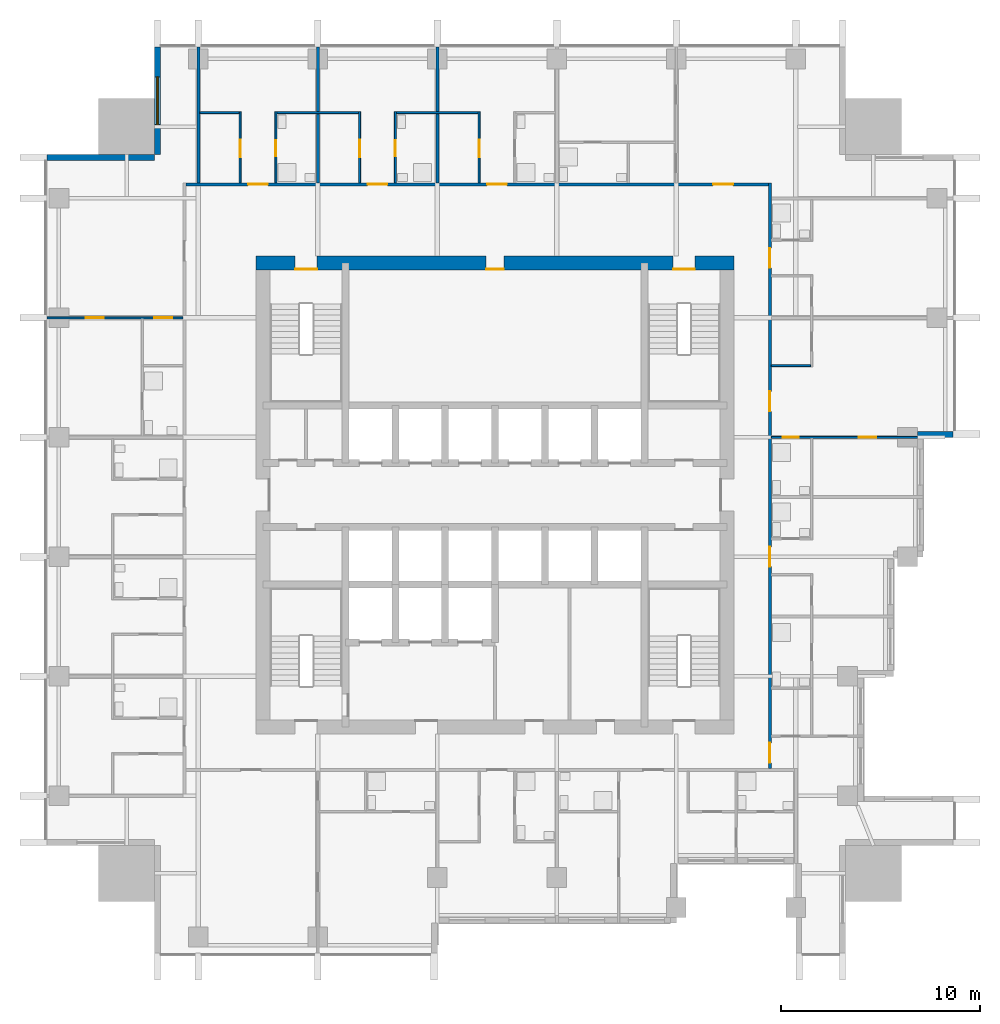
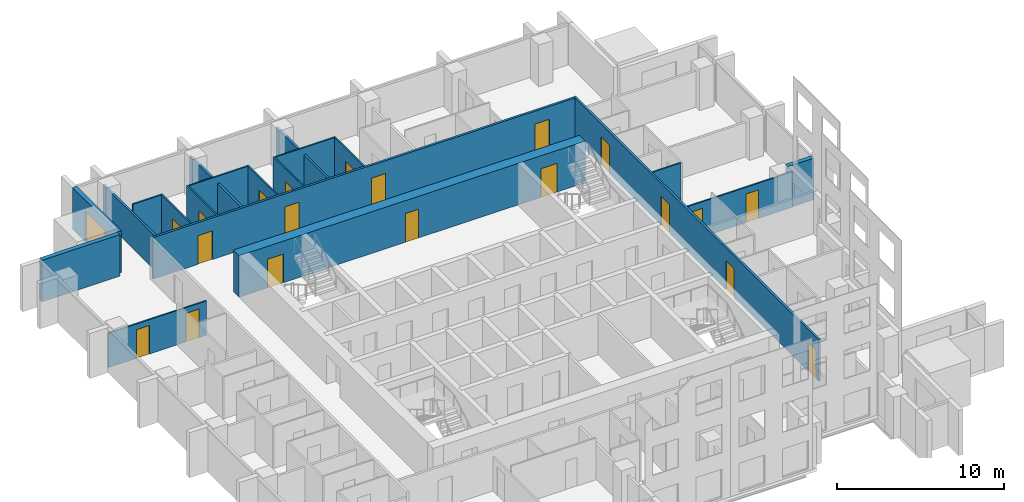
# One storey, part 7 of 11: 20 doors, 20 walls, 1 window, 21 openings.
"""IFC4 building model written with IfcOpenShell, lengths in metres."""

import ifcopenshell
import ifcopenshell.guid

model = None  # the IFC model being written
_history = None  # IfcOwnerHistory: only IFC2X3 demands one
_inside = {}  # id of a spatial element -> (the spatial element, [elements in it])
_under = {}  # id of a project, library or spatial element -> (it, [spatial elements below it])
_declared = {}  # id of a project -> (the project, [libraries it declares])
_typed = {}  # id of a type object -> (the type object, [elements of that type])
_made_of = {}  # id of a material, layer set ... -> (it, [elements and type objects made of it])


def new_model(schema):
    """Start an empty IFC model of exactly this schema.

    Asked for "IFC4X3", IfcOpenShell would pick the latest addendum, in which some entities
    have other attributes; the version numbers below select the first issue.
    IFC2X3 requires an IfcOwnerHistory on every rooted entity: one is made here for all.
    """
    global model, _history
    if schema == "IFC4X3":
        model = ifcopenshell.file(schema_version=(4, 3, 0, 0))
    else:
        model = ifcopenshell.file(schema=schema)
    _inside.clear()
    _under.clear()
    _declared.clear()
    _typed.clear()
    _made_of.clear()
    _history = None
    if model.schema == "IFC2X3":
        org = make("IfcOrganization", Name="unknown")
        user = make(
            "IfcPersonAndOrganization",
            ThePerson=make("IfcPerson", FamilyName="unknown"),
            TheOrganization=org,
        )
        app = make(
            "IfcApplication",
            ApplicationDeveloper=org,
            Version="unknown",
            ApplicationFullName="unknown",
            ApplicationIdentifier="unknown",
        )
        _history = make(
            "IfcOwnerHistory",
            OwningUser=user,
            OwningApplication=app,
            ChangeAction="ADDED",
            CreationDate=0,
        )
    return model


def make(cls, **values):
    """One entity of the class cls with the attributes given. An attribute that is None is left unset."""
    return model.create_entity(
        cls, **{name: value for name, value in values.items() if value is not None}
    )


def rooted(cls, **values):
    """An entity with a GlobalId (a new one), such as an element, a storey or a relation."""
    return make(cls, GlobalId=ifcopenshell.guid.new(), OwnerHistory=_history, **values)


def si_unit(unit_type, name, prefix=None):
    """IfcSIUnit, for example si_unit("LENGTHUNIT", "METRE", prefix="MILLI")."""
    return make("IfcSIUnit", UnitType=unit_type, Prefix=prefix, Name=name)


def assignment(units):
    """IfcUnitAssignment: the units of a project."""
    return None if units is None else make("IfcUnitAssignment", Units=units)


def point(xyz):
    """IfcCartesianPoint."""
    return None if xyz is None else make("IfcCartesianPoint", Coordinates=xyz)


def direction(xyz):
    """IfcDirection."""
    return None if xyz is None else make("IfcDirection", DirectionRatios=xyz)


def frame(location, z_axis=None, x_axis=None):
    """IfcAxis2Placement3D, a coordinate frame: its origin and axes. An axis left out is left unset."""
    return make(
        "IfcAxis2Placement3D",
        Location=point(location),
        Axis=direction(z_axis),
        RefDirection=direction(x_axis),
    )


def frame_2d(location, x_axis=None):
    """IfcAxis2Placement2D, a coordinate frame in the plane: its origin and x axis."""
    return make(
        "IfcAxis2Placement2D", Location=point(location), RefDirection=direction(x_axis)
    )


def origin():
    """The frame at (0, 0, 0) with its axes left unset."""
    return frame((0.0, 0.0, 0.0))


def place(relative_to, where):
    """IfcLocalPlacement: puts the frame where relative to a parent placement (None: the world)."""
    return make(
        "IfcLocalPlacement", PlacementRelTo=relative_to, RelativePlacement=where
    )


def context(
    kind, dimensions, precision=None, world=None, true_north=None, identifier=None
):
    """IfcGeometricRepresentationContext, for example the 3D "Model" context."""
    return make(
        "IfcGeometricRepresentationContext",
        ContextIdentifier=identifier,
        ContextType=kind,
        CoordinateSpaceDimension=dimensions,
        Precision=precision,
        WorldCoordinateSystem=world,
        TrueNorth=true_north,
    )


def subcontext(parent, identifier, kind, view, scale=None):
    """IfcGeometricRepresentationSubContext, for example "Body" below "Model"."""
    return make(
        "IfcGeometricRepresentationSubContext",
        ContextIdentifier=identifier,
        ContextType=kind,
        ParentContext=parent,
        TargetScale=scale,
        TargetView=view,
    )


def project(units=None, contexts=None):
    """IfcProject with its units and contexts."""
    return rooted(
        "IfcProject",
        Name="project",
        RepresentationContexts=contexts,
        UnitsInContext=assignment(units),
    )


def spatial(cls, under=None, at=None, **own):
    """A site, building, storey or space (cls), placed at a placement, below another one or the project."""
    s = rooted(cls, ObjectPlacement=at, **own)
    if under is not None:
        _under.setdefault(under.id(), (under, []))[1].append(s)
    return s


def profile(cls, at=None, kind="AREA", **sizes):
    """A parametric profile (cls). Its sizes go by their IFC names, for example OverallWidth=200.0."""
    return make(cls, ProfileType=kind, Position=at, **sizes)


def rectangle(**sizes):
    """IfcRectangleProfileDef."""
    return profile("IfcRectangleProfileDef", **sizes)


def extrude(swept, where, along, depth):
    """IfcExtrudedAreaSolid: the profile swept, set in the frame where, extruded along a direction by depth."""
    return make(
        "IfcExtrudedAreaSolid",
        SweptArea=swept,
        Position=where,
        ExtrudedDirection=direction(along),
        Depth=depth,
    )


def shape(context_of_items, identifier, shape_type, items):
    """IfcShapeRepresentation: the items that make up one representation, for example the "Body"."""
    return make(
        "IfcShapeRepresentation",
        ContextOfItems=context_of_items,
        RepresentationIdentifier=identifier,
        RepresentationType=shape_type,
        Items=items,
    )


def material(Name=None, Category=None):
    """IfcMaterial."""
    return make("IfcMaterial", Name=Name, Category=Category)


def layer(
    of_material, thickness, ventilated=None, Name=None, Category=None, Priority=None
):
    """IfcMaterialLayer: one layer of a wall or slab, of a material (None: an air gap)."""
    return make(
        "IfcMaterialLayer",
        Material=of_material,
        LayerThickness=thickness,
        IsVentilated=ventilated,
        Name=Name,
        Category=Category,
        Priority=Priority,
    )


def layer_set(layers, Name=None):
    """IfcMaterialLayerSet."""
    return make("IfcMaterialLayerSet", MaterialLayers=layers, LayerSetName=Name)


def made_of(thing, what):
    """Note that an element or type object is made of a material, layer set ...; save() writes the relation."""
    if what is not None:
        _made_of.setdefault(what.id(), (what, []))[1].append(thing)
    return thing


def type_object(cls, material=None, **own):
    """A type object (cls), such as IfcWallType, which elements share."""
    return made_of(rooted(cls, **own), material)


def element(
    cls,
    number,
    at=None,
    inside=None,
    cuts=None,
    type_object=None,
    material=None,
    context=None,
    identifier="Body",
    shape_type=None,
    held_by="IfcProductDefinitionShape",
    body=None,
    shapes=None,
    **own,
):
    """One element of the class cls, such as IfcWall. Its Tag is "e" and its number.

    at: its placement. inside: the storey or other place that contains it. cuts: it is an
    opening in that element (IfcRelVoidsElement). A single representation is given by context,
    identifier, shape_type and body (its items); several are given by shapes. held_by: the class
    of the entity that holds the representations. save() writes the other relations.
    """
    e = rooted(cls, Tag="e%d" % number, ObjectPlacement=at, **own)
    if body is not None:
        shapes = [shape(context, identifier, shape_type, body)]
    if shapes is not None:
        e.Representation = make(held_by, Representations=shapes)
    if inside is not None:
        _inside.setdefault(inside.id(), (inside, []))[1].append(e)
    if cuts is not None:
        rooted(
            "IfcRelVoidsElement", RelatingBuildingElement=cuts, RelatedOpeningElement=e
        )
    if type_object is not None:
        _typed.setdefault(type_object.id(), (type_object, []))[1].append(e)
    return made_of(e, material)


def fill(opening, filler):
    """IfcRelFillsElement: the door or window that sits in an opening."""
    return rooted(
        "IfcRelFillsElement",
        RelatingOpeningElement=opening,
        RelatedBuildingElement=filler,
    )


def aggregate(whole, parts):
    """IfcRelAggregates: a whole, such as a stair, and the parts it consists of."""
    return rooted("IfcRelAggregates", RelatingObject=whole, RelatedObjects=parts)


def save(model, path):
    """Write the relations noted so far, then the file.

    IfcRelAggregates (storeys below a building ...), IfcRelContainedInSpatialStructure (elements
    in a storey), IfcRelDefinesByType, IfcRelAssociatesMaterial and IfcRelDeclares: one each for
    every whole, place, type object, material and project.
    """
    for whole, parts in _under.values():
        aggregate(whole, parts)
    for where, things in _inside.values():
        rooted(
            "IfcRelContainedInSpatialStructure",
            RelatedElements=things,
            RelatingStructure=where,
        )
    for kind, things in _typed.values():
        rooted("IfcRelDefinesByType", RelatedObjects=things, RelatingType=kind)
    for what, things in _made_of.values():
        rooted("IfcRelAssociatesMaterial", RelatedObjects=things, RelatingMaterial=what)
    for by, libraries in _declared.values():
        rooted("IfcRelDeclares", RelatingContext=by, RelatedDefinitions=libraries)
    model.write(path)


model = new_model("IFC4")

# Units and contexts
model_context = context("Model", 3, precision=1e-05, world=origin(), true_north=direction((0.0, 1.0)))
body_context = subcontext(model_context, "Body", "Model", "MODEL_VIEW")
ifc_project = project(units=[si_unit("LENGTHUNIT", "METRE"), si_unit("AREAUNIT", "SQUARE_METRE"), si_unit("VOLUMEUNIT", "CUBIC_METRE"), si_unit("PLANEANGLEUNIT", "RADIAN"), si_unit("MASSUNIT", "GRAM", prefix="KILO")], contexts=[model_context])

# Site, building, storey
site_placement = place(None, origin())
site = spatial("IfcSite", under=ifc_project, at=site_placement, CompositionType="ELEMENT")
building_placement = place(site_placement, origin())
building = spatial("IfcBuilding", under=site, at=building_placement, Name="Amberfall Residences", CompositionType="ELEMENT")
storey_placement = place(building_placement, frame((0.0, 0.0, 154.89990234375)))
storey = spatial("IfcBuildingStorey", under=building, at=storey_placement, Name="L41", CompositionType="ELEMENT", Elevation=154.89990234375)

# Wall
ifc_material_1 = material(Name="Pale stone cladding on insulated backing", Category="masonry")
ifc_layer_1 = layer(ifc_material_1, 0.300048828125)
ifc_layer_set_1 = layer_set([ifc_layer_1], Name="Bronze clad wall 300")
wall_type_1 = type_object("IfcWallType", Name="Bronze clad wall 300", PredefinedType="SOLIDWALL", material=ifc_layer_set_1)
wall_1_placement = place(storey_placement, frame((95.699951171875, 48.550048828125, 0.0), z_axis=(0.0, 0.0, 1.0), x_axis=(1.0, 0.0, 0.0)))
element("IfcWall", 1, at=wall_1_placement, inside=storey, type_object=wall_type_1, Name="External wall L41 E", PredefinedType="SOLIDWALL", context=body_context, shape_type="SweptSolid", body=[
    extrude(rectangle(XDim=1.800048828125, YDim=0.300048828125, at=frame_2d((0.89990234375, 0.0))), origin(), (0.0, 0.0, 1.0), 3.050048828125),
])

# Wall, opening, window
wall_2_placement = place(storey_placement, frame((57.550048828125, 68.0, 0.0), z_axis=(0.0, 0.0, 1.0), x_axis=(0.0, -1.0, 0.0)))
wall_2 = element("IfcWall", 2, at=wall_2_placement, inside=storey, type_object=wall_type_1, Name="External wall L41 NW", PredefinedType="SOLIDWALL", context=body_context, shape_type="SweptSolid", body=[
    extrude(rectangle(XDim=5.39990234375, YDim=0.300048828125, at=frame_2d((2.699951171875, 0.0))), origin(), (0.0, 0.0, 1.0), 3.050048828125),
])
opening_1_placement = place(wall_2_placement, frame((1.5, 0.0, 0.14990234375)))
opening_1 = element("IfcOpeningElement", 3, at=opening_1_placement, cuts=wall_2, Name="Opening WN5", PredefinedType="OPENING", context=body_context, shape_type="SweptSolid", body=[
    extrude(rectangle(XDim=2.39990234375, YDim=2.10009765625, at=frame_2d((1.199951171875, 1.050048828125))), frame((0.0, 0.159912109375, 0.0), z_axis=(0.0, -1.0, 0.0), x_axis=(1.0, 0.0, 0.0)), (0.0, 0.0, 1.0), 0.320068359375),
])
ifc_material_2 = material(Name="Bronze aluminium framed glazing", Category="aluminium")
window_type = type_object("IfcWindowType", Name="Glazed opening 2400 x 2100 bronze", PartitioningType="DOUBLE_PANEL_VERTICAL", PredefinedType="WINDOW", material=ifc_material_2)
window_placement = place(opening_1_placement, origin())
window = element("IfcWindow", 4, at=window_placement, inside=storey, type_object=window_type, Name="Window L41 NW", OverallHeight=2.10009765625, OverallWidth=2.39990234375, PartitioningType="DOUBLE_PANEL_VERTICAL", PredefinedType="WINDOW", context=body_context, shape_type="SweptSolid", body=[
    extrude(rectangle(XDim=2.39990234375, YDim=2.10009765625, at=frame_2d((1.199951171875, 1.050048828125))), frame((0.0, 0.030029296875, 0.0), z_axis=(0.0, -1.0, 0.0), x_axis=(1.0, 0.0, 0.0)), (0.0, 0.0, 1.0), 0.06005859375),
])
fill(opening_1, window)

# Wall
wall_3_placement = place(storey_placement, frame((57.39990234375, 62.449951171875, 0.0), z_axis=(0.0, 0.0, 1.0), x_axis=(-1.0, 0.0, 0.0)))
element("IfcWall", 5, at=wall_3_placement, inside=storey, type_object=wall_type_1, Name="External wall L41 NW", PredefinedType="SOLIDWALL", context=body_context, shape_type="SweptSolid", body=[
    extrude(rectangle(XDim=5.39990234375, YDim=0.300048828125, at=frame_2d((2.699951171875, 0.0))), origin(), (0.0, 0.0, 1.0), 3.050048828125),
])

# Wall, openings, doors
ifc_material_3 = material(Name="Concrete C60", Category="concrete")
ifc_layer_2 = layer(ifc_material_3, 0.699951171875)
ifc_layer_set_2 = layer_set([ifc_layer_2], Name="Core wall 700 C60")
wall_type_2 = type_object("IfcWallType", Name="Core wall 700 C60", PredefinedType="SHEAR", material=ifc_layer_set_2)
wall_4_placement = place(storey_placement, frame((62.5, 57.14990234375, 0.0), z_axis=(0.0, 0.0, 1.0), x_axis=(1.0, 0.0, 0.0)))
wall_4 = element("IfcWall", 6, at=wall_4_placement, inside=storey, type_object=wall_type_2, Name="Core wall RW5 L41 ON", PredefinedType="SHEAR", context=body_context, shape_type="SweptSolid", body=[
    extrude(rectangle(XDim=24.0, YDim=0.699951171875, at=frame_2d((12.0, 0.0))), origin(), (0.0, 0.0, 1.0), 3.050048828125),
])
opening_2_placement = place(wall_4_placement, frame((20.9375, 0.0, 0.0)))
opening_2 = element("IfcOpeningElement", 7, at=opening_2_placement, cuts=wall_4, Name="Opening SD1", PredefinedType="OPENING", context=body_context, shape_type="SweptSolid", body=[
    extrude(rectangle(XDim=1.10009765625, YDim=2.10009765625, at=frame_2d((0.550048828125, 1.050048828125))), frame((0.0, 0.35986328125, 0.0), z_axis=(0.0, -1.0, 0.0), x_axis=(1.0, 0.0, 0.0)), (0.0, 0.0, 1.0), 0.719970703125),
])
opening_3_placement = place(wall_4_placement, frame((1.96240234375, 0.0, 0.0)))
opening_3 = element("IfcOpeningElement", 8, at=opening_3_placement, cuts=wall_4, Name="Opening SD1", PredefinedType="OPENING", context=body_context, shape_type="SweptSolid", body=[
    extrude(rectangle(XDim=1.10009765625, YDim=2.10009765625, at=frame_2d((0.550048828125, 1.050048828125))), frame((0.0, 0.35986328125, 0.0), z_axis=(0.0, -1.0, 0.0), x_axis=(1.0, 0.0, 0.0)), (0.0, 0.0, 1.0), 0.719970703125),
])
opening_4_placement = place(wall_4_placement, frame((11.550048828125, 0.0, 0.0)))
opening_4 = element("IfcOpeningElement", 9, at=opening_4_placement, cuts=wall_4, Name="Opening RD1", PredefinedType="OPENING", context=body_context, shape_type="SweptSolid", body=[
    extrude(rectangle(XDim=0.89990234375, YDim=2.10009765625, at=frame_2d((0.449951171875, 1.050048828125))), frame((0.0, 0.35986328125, 0.0), z_axis=(0.0, -1.0, 0.0), x_axis=(1.0, 0.0, 0.0)), (0.0, 0.0, 1.0), 0.719970703125),
])
ifc_material_4 = material(Name="Steel fire door set", Category="steel")
door_type_1 = type_object("IfcDoorType", Name="Service room door 900 x 2100", OperationType="SINGLE_SWING_LEFT", PredefinedType="DOOR", material=ifc_material_4)
door_1_placement = place(opening_4_placement, origin())
door_1 = element("IfcDoor", 10, at=door_1_placement, inside=storey, type_object=door_type_1, Name="RD1 L41", OperationType="SINGLE_SWING_RIGHT", OverallHeight=2.10009765625, OverallWidth=0.89990234375, PredefinedType="DOOR", context=body_context, shape_type="SweptSolid", body=[
    extrude(rectangle(XDim=0.89990234375, YDim=2.10009765625, at=frame_2d((0.449951171875, 1.050048828125))), frame((0.0, -0.28759765625, 0.0), z_axis=(0.0, -1.0, 0.0), x_axis=(1.0, 0.0, 0.0)), (0.0, 0.0, 1.0), 0.050048828125),
])
fill(opening_4, door_1)
door_type_2 = type_object("IfcDoorType", Name="Stair door 1100 x 2100", OperationType="SINGLE_SWING_LEFT", PredefinedType="DOOR", material=ifc_material_4)
door_2_placement = place(opening_2_placement, origin())
door_2 = element("IfcDoor", 11, at=door_2_placement, inside=storey, type_object=door_type_2, Name="SD1 L41", OperationType="SINGLE_SWING_RIGHT", OverallHeight=2.10009765625, OverallWidth=1.10009765625, PredefinedType="DOOR", context=body_context, shape_type="SweptSolid", body=[
    extrude(rectangle(XDim=1.10009765625, YDim=2.10009765625, at=frame_2d((0.550048828125, 1.050048828125))), frame((0.0, -0.28759765625, 0.0), z_axis=(0.0, -1.0, 0.0), x_axis=(1.0, 0.0, 0.0)), (0.0, 0.0, 1.0), 0.050048828125),
])
fill(opening_2, door_2)
door_3_placement = place(opening_3_placement, origin())
door_3 = element("IfcDoor", 12, at=door_3_placement, inside=storey, type_object=door_type_2, Name="SD1 L41", OperationType="SINGLE_SWING_LEFT", OverallHeight=2.10009765625, OverallWidth=1.10009765625, PredefinedType="DOOR", context=body_context, shape_type="SweptSolid", body=[
    extrude(rectangle(XDim=1.10009765625, YDim=2.10009765625, at=frame_2d((0.550048828125, 1.050048828125))), frame((0.0, -0.28759765625, 0.0), z_axis=(0.0, -1.0, 0.0), x_axis=(1.0, 0.0, 0.0)), (0.0, 0.0, 1.0), 0.050048828125),
])
fill(opening_3, door_3)

# Wall, opening, door
ifc_material_5 = material(Name="Gypsum board on metal stud")
ifc_layer_3 = layer(ifc_material_5, 0.10009765625)
ifc_layer_set_3 = layer_set([ifc_layer_3], Name="Flat partition 100")
wall_type_3 = type_object("IfcWallType", Name="Flat partition 100", PredefinedType="PARTITIONING", material=ifc_layer_set_3)
wall_5_placement = place(storey_placement, frame((61.699951171875, 61.175048828125, 0.0), z_axis=(0.0, 0.0, 1.0), x_axis=(0.0, 1.0, 0.0)))
wall_5 = element("IfcWall", 13, at=wall_5_placement, inside=storey, type_object=wall_type_3, Name="Partition 006", PredefinedType="PARTITIONING", context=body_context, shape_type="SweptSolid", body=[
    extrude(rectangle(XDim=3.574951171875, YDim=0.10009765625, at=frame_2d((1.78759765625, 0.0))), origin(), (0.0, 0.0, 1.0), 3.050048828125),
])
opening_5_placement = place(wall_5_placement, frame((1.27490234375, 0.0, 0.0)))
opening_5 = element("IfcOpeningElement", 14, at=opening_5_placement, cuts=wall_5, Name="Opening D41", PredefinedType="OPENING", context=body_context, shape_type="SweptSolid", body=[
    extrude(rectangle(XDim=0.89990234375, YDim=2.10009765625, at=frame_2d((0.449951171875, 1.050048828125))), frame((0.0, 0.06005859375, 0.0), z_axis=(0.0, -1.0, 0.0), x_axis=(1.0, 0.0, 0.0)), (0.0, 0.0, 1.0), 0.1201171875),
])
ifc_material_6 = material(Name="Timber", Category="wood")
door_type_3 = type_object("IfcDoorType", Name="Internal door 900 x 2100", OperationType="SINGLE_SWING_LEFT", PredefinedType="DOOR", material=ifc_material_6)
door_4_placement = place(opening_5_placement, origin())
door_4 = element("IfcDoor", 15, at=door_4_placement, inside=storey, type_object=door_type_3, Name="Door 4108 kitchen", OperationType="SINGLE_SWING_LEFT", OverallHeight=2.10009765625, OverallWidth=0.89990234375, PredefinedType="DOOR", context=body_context, shape_type="SweptSolid", body=[
    extrude(rectangle(XDim=0.89990234375, YDim=2.10009765625, at=frame_2d((0.449951171875, 1.050048828125))), frame((0.0, 0.02490234375, 0.0), z_axis=(0.0, -1.0, 0.0), x_axis=(1.0, 0.0, 0.0)), (0.0, 0.0, 1.0), 0.050048828125),
])
fill(opening_5, door_4)

wall_6_placement = place(storey_placement, frame((63.5, 64.75, 0.0), z_axis=(0.0, 0.0, 1.0), x_axis=(0.0, -1.0, 0.0)))
wall_6 = element("IfcWall", 16, at=wall_6_placement, inside=storey, type_object=wall_type_3, Name="Partition 007", PredefinedType="PARTITIONING", context=body_context, shape_type="SweptSolid", body=[
    extrude(rectangle(XDim=3.574951171875, YDim=0.10009765625, at=frame_2d((1.78759765625, 0.0))), origin(), (0.0, 0.0, 1.0), 3.050048828125),
])
opening_6_placement = place(wall_6_placement, frame((1.449951171875, 0.0, 0.0)))
opening_6 = element("IfcOpeningElement", 17, at=opening_6_placement, cuts=wall_6, Name="Opening D42", PredefinedType="OPENING", context=body_context, shape_type="SweptSolid", body=[
    extrude(rectangle(XDim=0.800048828125, YDim=2.10009765625, at=frame_2d((0.39990234375, 1.050048828125))), frame((0.0, 0.06005859375, 0.0), z_axis=(0.0, -1.0, 0.0), x_axis=(1.0, 0.0, 0.0)), (0.0, 0.0, 1.0), 0.1201171875),
])
door_type_4 = type_object("IfcDoorType", Name="Bathroom door 800 x 2100", OperationType="SINGLE_SWING_LEFT", PredefinedType="DOOR", material=ifc_material_6)
door_5_placement = place(opening_6_placement, origin())
door_5 = element("IfcDoor", 18, at=door_5_placement, inside=storey, type_object=door_type_4, Name="Door 4108 bath1", OperationType="SINGLE_SWING_LEFT", OverallHeight=2.10009765625, OverallWidth=0.800048828125, PredefinedType="DOOR", context=body_context, shape_type="SweptSolid", body=[
    extrude(rectangle(XDim=0.800048828125, YDim=2.10009765625, at=frame_2d((0.39990234375, 1.050048828125))), frame((0.0, 0.02490234375, 0.0), z_axis=(0.0, -1.0, 0.0), x_axis=(1.0, 0.0, 0.0)), (0.0, 0.0, 1.0), 0.050048828125),
])
fill(opening_6, door_5)

wall_7_placement = place(storey_placement, frame((67.699951171875, 61.175048828125, 0.0), z_axis=(0.0, 0.0, 1.0), x_axis=(0.0, 1.0, 0.0)))
wall_7 = element("IfcWall", 19, at=wall_7_placement, inside=storey, type_object=wall_type_3, Name="Partition 009", PredefinedType="PARTITIONING", context=body_context, shape_type="SweptSolid", body=[
    extrude(rectangle(XDim=3.574951171875, YDim=0.10009765625, at=frame_2d((1.78759765625, 0.0))), origin(), (0.0, 0.0, 1.0), 3.050048828125),
])
opening_7_placement = place(wall_7_placement, frame((1.27490234375, 0.0, 0.0)))
opening_7 = element("IfcOpeningElement", 20, at=opening_7_placement, cuts=wall_7, Name="Opening D41", PredefinedType="OPENING", context=body_context, shape_type="SweptSolid", body=[
    extrude(rectangle(XDim=0.89990234375, YDim=2.10009765625, at=frame_2d((0.449951171875, 1.050048828125))), frame((0.0, 0.06005859375, 0.0), z_axis=(0.0, -1.0, 0.0), x_axis=(1.0, 0.0, 0.0)), (0.0, 0.0, 1.0), 0.1201171875),
])
door_6_placement = place(opening_7_placement, origin())
door_6 = element("IfcDoor", 21, at=door_6_placement, inside=storey, type_object=door_type_3, Name="Door 4109 kitchen", OperationType="SINGLE_SWING_LEFT", OverallHeight=2.10009765625, OverallWidth=0.89990234375, PredefinedType="DOOR", context=body_context, shape_type="SweptSolid", body=[
    extrude(rectangle(XDim=0.89990234375, YDim=2.10009765625, at=frame_2d((0.449951171875, 1.050048828125))), frame((0.0, 0.02490234375, 0.0), z_axis=(0.0, -1.0, 0.0), x_axis=(1.0, 0.0, 0.0)), (0.0, 0.0, 1.0), 0.050048828125),
])
fill(opening_7, door_6)

wall_8_placement = place(storey_placement, frame((69.5, 64.75, 0.0), z_axis=(0.0, 0.0, 1.0), x_axis=(0.0, -1.0, 0.0)))
wall_8 = element("IfcWall", 22, at=wall_8_placement, inside=storey, type_object=wall_type_3, Name="Partition 011", PredefinedType="PARTITIONING", context=body_context, shape_type="SweptSolid", body=[
    extrude(rectangle(XDim=3.574951171875, YDim=0.10009765625, at=frame_2d((1.78759765625, 0.0))), origin(), (0.0, 0.0, 1.0), 3.050048828125),
])
opening_8_placement = place(wall_8_placement, frame((1.449951171875, 0.0, 0.0)))
opening_8 = element("IfcOpeningElement", 23, at=opening_8_placement, cuts=wall_8, Name="Opening D42", PredefinedType="OPENING", context=body_context, shape_type="SweptSolid", body=[
    extrude(rectangle(XDim=0.800048828125, YDim=2.10009765625, at=frame_2d((0.39990234375, 1.050048828125))), frame((0.0, 0.06005859375, 0.0), z_axis=(0.0, -1.0, 0.0), x_axis=(1.0, 0.0, 0.0)), (0.0, 0.0, 1.0), 0.1201171875),
])
door_7_placement = place(opening_8_placement, origin())
door_7 = element("IfcDoor", 24, at=door_7_placement, inside=storey, type_object=door_type_4, Name="Door 4109 bath1", OperationType="SINGLE_SWING_LEFT", OverallHeight=2.10009765625, OverallWidth=0.800048828125, PredefinedType="DOOR", context=body_context, shape_type="SweptSolid", body=[
    extrude(rectangle(XDim=0.800048828125, YDim=2.10009765625, at=frame_2d((0.39990234375, 1.050048828125))), frame((0.0, 0.02490234375, 0.0), z_axis=(0.0, -1.0, 0.0), x_axis=(1.0, 0.0, 0.0)), (0.0, 0.0, 1.0), 0.050048828125),
])
fill(opening_8, door_7)

wall_9_placement = place(storey_placement, frame((73.699951171875, 61.175048828125, 0.0), z_axis=(0.0, 0.0, 1.0), x_axis=(0.0, 1.0, 0.0)))
wall_9 = element("IfcWall", 25, at=wall_9_placement, inside=storey, type_object=wall_type_3, Name="Partition 013", PredefinedType="PARTITIONING", context=body_context, shape_type="SweptSolid", body=[
    extrude(rectangle(XDim=3.574951171875, YDim=0.10009765625, at=frame_2d((1.78759765625, 0.0))), origin(), (0.0, 0.0, 1.0), 3.050048828125),
])
opening_9_placement = place(wall_9_placement, frame((1.27490234375, 0.0, 0.0)))
opening_9 = element("IfcOpeningElement", 26, at=opening_9_placement, cuts=wall_9, Name="Opening D41", PredefinedType="OPENING", context=body_context, shape_type="SweptSolid", body=[
    extrude(rectangle(XDim=0.89990234375, YDim=2.10009765625, at=frame_2d((0.449951171875, 1.050048828125))), frame((0.0, 0.06005859375, 0.0), z_axis=(0.0, -1.0, 0.0), x_axis=(1.0, 0.0, 0.0)), (0.0, 0.0, 1.0), 0.1201171875),
])
door_8_placement = place(opening_9_placement, origin())
door_8 = element("IfcDoor", 27, at=door_8_placement, inside=storey, type_object=door_type_3, Name="Door 4110 kitchen", OperationType="SINGLE_SWING_LEFT", OverallHeight=2.10009765625, OverallWidth=0.89990234375, PredefinedType="DOOR", context=body_context, shape_type="SweptSolid", body=[
    extrude(rectangle(XDim=0.89990234375, YDim=2.10009765625, at=frame_2d((0.449951171875, 1.050048828125))), frame((0.0, 0.02490234375, 0.0), z_axis=(0.0, -1.0, 0.0), x_axis=(1.0, 0.0, 0.0)), (0.0, 0.0, 1.0), 0.050048828125),
])
fill(opening_9, door_8)

# Walls
wall_10_placement = place(storey_placement, frame((59.675048828125, 64.699951171875, 0.0), z_axis=(0.0, 0.0, 1.0), x_axis=(1.0, 0.0, 0.0)))
element("IfcWall", 28, at=wall_10_placement, inside=storey, type_object=wall_type_3, Name="Partition 025", PredefinedType="PARTITIONING", context=body_context, shape_type="SweptSolid", body=[
    extrude(rectangle(XDim=1.974853515625, YDim=0.10009765625, at=frame_2d((0.9873046875, 0.0))), origin(), (0.0, 0.0, 1.0), 3.050048828125),
])
for number, where, z_axis, x_axis, name in (
    (29, (63.550048828125, 64.699951171875, 0.0), (0.0, 0.0, 1.0), (1.0, 0.0, 0.0), "Partition 026"),
    (30, (69.550048828125, 64.699951171875, 0.0), (0.0, 0.0, 1.0), (1.0, 0.0, 0.0), "Partition 027"),
):
    element("IfcWall", number, at=place(storey_placement, frame(where, z_axis=z_axis, x_axis=x_axis)), inside=storey, type_object=wall_type_3, Name=name, PredefinedType="PARTITIONING", context=body_context, shape_type="SweptSolid", body=[
        extrude(rectangle(XDim=4.099853515625, YDim=0.10009765625, at=frame_2d((2.0498046875, 0.0))), origin(), (0.0, 0.0, 1.0), 3.050048828125),
    ])

# Wall, openings, doors
wall_11_placement = place(storey_placement, frame((58.824951171875, 54.39990234375, 0.0), z_axis=(0.0, 0.0, 1.0), x_axis=(-1.0, 0.0, 0.0)))
wall_11 = element("IfcWall", 31, at=wall_11_placement, inside=storey, type_object=wall_type_3, Name="Partition 032", PredefinedType="PARTITIONING", context=body_context, shape_type="SweptSolid", body=[
    extrude(rectangle(XDim=6.824951171875, YDim=0.10009765625, at=frame_2d((3.41259765625, 0.0))), origin(), (0.0, 0.0, 1.0), 2.51611328125),
])
opening_10_placement = place(wall_11_placement, frame((0.52490234375, 0.0, 0.0)))
opening_10 = element("IfcOpeningElement", 32, at=opening_10_placement, cuts=wall_11, Name="Opening D41", PredefinedType="OPENING", context=body_context, shape_type="SweptSolid", body=[
    extrude(rectangle(XDim=0.89990234375, YDim=2.10009765625, at=frame_2d((0.449951171875, 1.050048828125))), frame((0.0, 0.06005859375, 0.0), z_axis=(0.0, -1.0, 0.0), x_axis=(1.0, 0.0, 0.0)), (0.0, 0.0, 1.0), 0.1201171875),
])
opening_11_placement = place(wall_11_placement, frame((3.97509765625, 0.0, 0.0)))
opening_11 = element("IfcOpeningElement", 33, at=opening_11_placement, cuts=wall_11, Name="Opening D41", PredefinedType="OPENING", context=body_context, shape_type="SweptSolid", body=[
    extrude(rectangle(XDim=0.89990234375, YDim=2.10009765625, at=frame_2d((0.449951171875, 1.050048828125))), frame((0.0, 0.06005859375, 0.0), z_axis=(0.0, -1.0, 0.0), x_axis=(1.0, 0.0, 0.0)), (0.0, 0.0, 1.0), 0.1201171875),
])
door_9_placement = place(opening_10_placement, origin())
door_9 = element("IfcDoor", 34, at=door_9_placement, inside=storey, type_object=door_type_3, Name="Door 4115 kitchen", OperationType="SINGLE_SWING_LEFT", OverallHeight=2.10009765625, OverallWidth=0.89990234375, PredefinedType="DOOR", context=body_context, shape_type="SweptSolid", body=[
    extrude(rectangle(XDim=0.89990234375, YDim=2.10009765625, at=frame_2d((0.449951171875, 1.050048828125))), frame((0.0, 0.02490234375, 0.0), z_axis=(0.0, -1.0, 0.0), x_axis=(1.0, 0.0, 0.0)), (0.0, 0.0, 1.0), 0.050048828125),
])
fill(opening_10, door_9)
door_10_placement = place(opening_11_placement, origin())
door_10 = element("IfcDoor", 35, at=door_10_placement, inside=storey, type_object=door_type_3, Name="Door 4115 bedroom1", OperationType="SINGLE_SWING_LEFT", OverallHeight=2.10009765625, OverallWidth=0.89990234375, PredefinedType="DOOR", context=body_context, shape_type="SweptSolid", body=[
    extrude(rectangle(XDim=0.89990234375, YDim=2.10009765625, at=frame_2d((0.449951171875, 1.050048828125))), frame((0.0, 0.02490234375, 0.0), z_axis=(0.0, -1.0, 0.0), x_axis=(1.0, 0.0, 0.0)), (0.0, 0.0, 1.0), 0.050048828125),
])
fill(opening_11, door_10)

# Wall
wall_12_placement = place(storey_placement, frame((88.375, 52.0, 0.0), z_axis=(0.0, 0.0, 1.0), x_axis=(1.0, 0.0, 0.0)))
element("IfcWall", 36, at=wall_12_placement, inside=storey, type_object=wall_type_3, Name="Partition 034", PredefinedType="PARTITIONING", context=body_context, shape_type="SweptSolid", body=[
    extrude(rectangle(XDim=1.97509765625, YDim=0.10009765625, at=frame_2d((0.987548828125, 0.0))), origin(), (0.0, 0.0, 1.0), 3.050048828125),
])

# Wall, openings, doors
wall_13_placement = place(storey_placement, frame((96.0, 48.39990234375, 0.0), z_axis=(0.0, 0.0, 1.0), x_axis=(-1.0, 0.0, 0.0)))
wall_13 = element("IfcWall", 37, at=wall_13_placement, inside=storey, type_object=wall_type_3, Name="Partition 035", PredefinedType="PARTITIONING", context=body_context, shape_type="SweptSolid", body=[
    extrude(rectangle(XDim=7.625, YDim=0.10009765625, at=frame_2d((3.8125, 0.0))), origin(), (0.0, 0.0, 1.0), 2.590087890625),
])
opening_12_placement = place(wall_13_placement, frame((2.35009765625, 0.0, 0.0)))
opening_12 = element("IfcOpeningElement", 38, at=opening_12_placement, cuts=wall_13, Name="Opening D41", PredefinedType="OPENING", context=body_context, shape_type="SweptSolid", body=[
    extrude(rectangle(XDim=0.89990234375, YDim=2.10009765625, at=frame_2d((0.449951171875, 1.050048828125))), frame((0.0, 0.06005859375, 0.0), z_axis=(0.0, -1.0, 0.0), x_axis=(1.0, 0.0, 0.0)), (0.0, 0.0, 1.0), 0.1201171875),
])
opening_13_placement = place(wall_13_placement, frame((6.25, 0.0, 0.0)))
opening_13 = element("IfcOpeningElement", 39, at=opening_13_placement, cuts=wall_13, Name="Opening D42", PredefinedType="OPENING", context=body_context, shape_type="SweptSolid", body=[
    extrude(rectangle(XDim=0.800048828125, YDim=2.10009765625, at=frame_2d((0.39990234375, 1.050048828125))), frame((0.0, 0.06005859375, 0.0), z_axis=(0.0, -1.0, 0.0), x_axis=(1.0, 0.0, 0.0)), (0.0, 0.0, 1.0), 0.1201171875),
])
door_11_placement = place(opening_13_placement, origin())
door_11 = element("IfcDoor", 40, at=door_11_placement, inside=storey, type_object=door_type_4, Name="Door 4106 bath1", OperationType="SINGLE_SWING_LEFT", OverallHeight=2.10009765625, OverallWidth=0.800048828125, PredefinedType="DOOR", context=body_context, shape_type="SweptSolid", body=[
    extrude(rectangle(XDim=0.800048828125, YDim=2.10009765625, at=frame_2d((0.39990234375, 1.050048828125))), frame((0.0, 0.02490234375, 0.0), z_axis=(0.0, -1.0, 0.0), x_axis=(1.0, 0.0, 0.0)), (0.0, 0.0, 1.0), 0.050048828125),
])
fill(opening_13, door_11)
door_12_placement = place(opening_12_placement, origin())
door_12 = element("IfcDoor", 41, at=door_12_placement, inside=storey, type_object=door_type_3, Name="Door 4106 bedroom1", OperationType="SINGLE_SWING_LEFT", OverallHeight=2.10009765625, OverallWidth=0.89990234375, PredefinedType="DOOR", context=body_context, shape_type="SweptSolid", body=[
    extrude(rectangle(XDim=0.89990234375, YDim=2.10009765625, at=frame_2d((0.449951171875, 1.050048828125))), frame((0.0, 0.02490234375, 0.0), z_axis=(0.0, -1.0, 0.0), x_axis=(1.0, 0.0, 0.0)), (0.0, 0.0, 1.0), 0.050048828125),
])
fill(opening_12, door_12)

# Walls
ifc_material_7 = material(Name="Blockwork, plastered", Category="masonry")
ifc_layer_4 = layer(ifc_material_7, 0.14990234375)
ifc_layer_set_4 = layer_set([ifc_layer_4], Name="Flat separating wall 150")
wall_type_4 = type_object("IfcWallType", Name="Flat separating wall 150", PredefinedType="PARTITIONING", material=ifc_layer_set_4)
wall_14_placement = place(storey_placement, frame((59.60009765625, 61.175048828125, 0.0), z_axis=(0.0, 0.0, 1.0), x_axis=(0.0, 1.0, 0.0)))
element("IfcWall", 42, at=wall_14_placement, inside=storey, type_object=wall_type_4, Name="Separating wall 052", PredefinedType="PARTITIONING", context=body_context, shape_type="SweptSolid", body=[
    extrude(rectangle(XDim=6.824951171875, YDim=0.14990234375, at=frame_2d((3.41259765625, 0.0))), origin(), (0.0, 0.0, 1.0), 2.510009765625),
])
for number, where, z_axis, x_axis, name in (
    (43, (65.60009765625, 61.175048828125, 0.0), (0.0, 0.0, 1.0), (0.0, 1.0, 0.0), "Separating wall 053"),
    (44, (71.60009765625, 61.175048828125, 0.0), (0.0, 0.0, 1.0), (0.0, 1.0, 0.0), "Separating wall 055"),
):
    element("IfcWall", number, at=place(storey_placement, frame(where, z_axis=z_axis, x_axis=x_axis)), inside=storey, type_object=wall_type_4, Name=name, PredefinedType="PARTITIONING", context=body_context, shape_type="SweptSolid", body=[
        extrude(rectangle(XDim=6.824951171875, YDim=0.14990234375, at=frame_2d((3.41259765625, 0.0))), origin(), (0.0, 0.0, 1.0), 2.51611328125),
    ])

# Wall, openings, doors
wall_15_placement = place(storey_placement, frame((88.300048828125, 61.175048828125, 0.0), z_axis=(0.0, 0.0, 1.0), x_axis=(0.0, -1.0, 0.0)))
wall_15 = element("IfcWall", 45, at=wall_15_placement, inside=storey, type_object=wall_type_4, Name="Separating wall 058", PredefinedType="PARTITIONING", context=body_context, shape_type="SweptSolid", body=[
    extrude(rectangle(XDim=29.400146484375, YDim=0.14990234375, at=frame_2d((14.7001953125, 0.0))), origin(), (0.0, 0.0, 1.0), 3.050048828125),
])
opening_14_placement = place(wall_15_placement, frame((28.125, 0.0, 0.0)))
opening_14 = element("IfcOpeningElement", 46, at=opening_14_placement, cuts=wall_15, Name="Opening D40", PredefinedType="OPENING", context=body_context, shape_type="SweptSolid", body=[
    extrude(rectangle(XDim=1.0, YDim=2.10009765625, at=frame_2d((0.5, 1.050048828125))), frame((0.0, 0.0849609375, 0.0), z_axis=(0.0, -1.0, 0.0), x_axis=(1.0, 0.0, 0.0)), (0.0, 0.0, 1.0), 0.169921875),
])
opening_15_placement = place(wall_15_placement, frame((18.27490234375, 0.0, 0.0)))
opening_15 = element("IfcOpeningElement", 47, at=opening_15_placement, cuts=wall_15, Name="Opening D40", PredefinedType="OPENING", context=body_context, shape_type="SweptSolid", body=[
    extrude(rectangle(XDim=1.0, YDim=2.10009765625, at=frame_2d((0.5, 1.050048828125))), frame((0.0, 0.0849609375, 0.0), z_axis=(0.0, -1.0, 0.0), x_axis=(1.0, 0.0, 0.0)), (0.0, 0.0, 1.0), 0.169921875),
])
opening_16_placement = place(wall_15_placement, frame((10.47509765625, 0.0, 0.0)))
opening_16 = element("IfcOpeningElement", 48, at=opening_16_placement, cuts=wall_15, Name="Opening D40", PredefinedType="OPENING", context=body_context, shape_type="SweptSolid", body=[
    extrude(rectangle(XDim=1.0, YDim=2.10009765625, at=frame_2d((0.5, 1.050048828125))), frame((0.0, 0.0849609375, 0.0), z_axis=(0.0, -1.0, 0.0), x_axis=(1.0, 0.0, 0.0)), (0.0, 0.0, 1.0), 0.169921875),
])
opening_17_placement = place(wall_15_placement, frame((3.27490234375, 0.0, 0.0)))
opening_17 = element("IfcOpeningElement", 49, at=opening_17_placement, cuts=wall_15, Name="Opening D40", PredefinedType="OPENING", context=body_context, shape_type="SweptSolid", body=[
    extrude(rectangle(XDim=1.0, YDim=2.10009765625, at=frame_2d((0.5, 1.050048828125))), frame((0.0, 0.0849609375, 0.0), z_axis=(0.0, -1.0, 0.0), x_axis=(1.0, 0.0, 0.0)), (0.0, 0.0, 1.0), 0.169921875),
])
ifc_material_8 = material(Name="Timber, fire-rated", Category="wood")
door_type_5 = type_object("IfcDoorType", Name="Flat entrance door FD60 1000 x 2100", OperationType="SINGLE_SWING_LEFT", PredefinedType="DOOR", material=ifc_material_8)
door_13_placement = place(opening_14_placement, origin())
door_13 = element("IfcDoor", 50, at=door_13_placement, inside=storey, type_object=door_type_5, Name="Door 4104 entrance", OperationType="SINGLE_SWING_LEFT", OverallHeight=2.10009765625, OverallWidth=1.0, PredefinedType="DOOR", context=body_context, shape_type="SweptSolid", body=[
    extrude(rectangle(XDim=1.0, YDim=2.10009765625, at=frame_2d((0.5, 1.050048828125))), frame((0.0, 0.02490234375, 0.0), z_axis=(0.0, -1.0, 0.0), x_axis=(1.0, 0.0, 0.0)), (0.0, 0.0, 1.0), 0.050048828125),
])
fill(opening_14, door_13)
door_14_placement = place(opening_15_placement, origin())
door_14 = element("IfcDoor", 51, at=door_14_placement, inside=storey, type_object=door_type_5, Name="Door 4105 entrance", OperationType="SINGLE_SWING_LEFT", OverallHeight=2.10009765625, OverallWidth=1.0, PredefinedType="DOOR", context=body_context, shape_type="SweptSolid", body=[
    extrude(rectangle(XDim=1.0, YDim=2.10009765625, at=frame_2d((0.5, 1.050048828125))), frame((0.0, 0.02490234375, 0.0), z_axis=(0.0, -1.0, 0.0), x_axis=(1.0, 0.0, 0.0)), (0.0, 0.0, 1.0), 0.050048828125),
])
fill(opening_15, door_14)
door_15_placement = place(opening_16_placement, origin())
door_15 = element("IfcDoor", 52, at=door_15_placement, inside=storey, type_object=door_type_5, Name="Door 4106 entrance", OperationType="SINGLE_SWING_LEFT", OverallHeight=2.10009765625, OverallWidth=1.0, PredefinedType="DOOR", context=body_context, shape_type="SweptSolid", body=[
    extrude(rectangle(XDim=1.0, YDim=2.10009765625, at=frame_2d((0.5, 1.050048828125))), frame((0.0, 0.02490234375, 0.0), z_axis=(0.0, -1.0, 0.0), x_axis=(1.0, 0.0, 0.0)), (0.0, 0.0, 1.0), 0.050048828125),
])
fill(opening_16, door_15)
door_16_placement = place(opening_17_placement, origin())
door_16 = element("IfcDoor", 53, at=door_16_placement, inside=storey, type_object=door_type_5, Name="Door 4107 entrance", OperationType="SINGLE_SWING_LEFT", OverallHeight=2.10009765625, OverallWidth=1.0, PredefinedType="DOOR", context=body_context, shape_type="SweptSolid", body=[
    extrude(rectangle(XDim=1.0, YDim=2.10009765625, at=frame_2d((0.5, 1.050048828125))), frame((0.0, 0.02490234375, 0.0), z_axis=(0.0, -1.0, 0.0), x_axis=(1.0, 0.0, 0.0)), (0.0, 0.0, 1.0), 0.050048828125),
])
fill(opening_17, door_16)

wall_16_placement = place(storey_placement, frame((58.97509765625, 61.10009765625, 0.0), z_axis=(0.0, 0.0, 1.0), x_axis=(1.0, 0.0, 0.0)))
wall_16 = element("IfcWall", 54, at=wall_16_placement, inside=storey, type_object=wall_type_4, Name="Separating wall 060", PredefinedType="PARTITIONING", context=body_context, shape_type="SweptSolid", body=[
    extrude(rectangle(XDim=29.25, YDim=0.14990234375, at=frame_2d((14.625, 0.0))), origin(), (0.0, 0.0, 1.0), 3.050048828125),
])
opening_18_placement = place(wall_16_placement, frame((3.125, 0.0, 0.0)))
opening_18 = element("IfcOpeningElement", 55, at=opening_18_placement, cuts=wall_16, Name="Opening D40", PredefinedType="OPENING", context=body_context, shape_type="SweptSolid", body=[
    extrude(rectangle(XDim=1.0, YDim=2.10009765625, at=frame_2d((0.5, 1.050048828125))), frame((0.0, 0.0849609375, 0.0), z_axis=(0.0, -1.0, 0.0), x_axis=(1.0, 0.0, 0.0)), (0.0, 0.0, 1.0), 0.169921875),
])
opening_19_placement = place(wall_16_placement, frame((9.125, 0.0, 0.0)))
opening_19 = element("IfcOpeningElement", 56, at=opening_19_placement, cuts=wall_16, Name="Opening D40", PredefinedType="OPENING", context=body_context, shape_type="SweptSolid", body=[
    extrude(rectangle(XDim=1.0, YDim=2.10009765625, at=frame_2d((0.5, 1.050048828125))), frame((0.0, 0.0849609375, 0.0), z_axis=(0.0, -1.0, 0.0), x_axis=(1.0, 0.0, 0.0)), (0.0, 0.0, 1.0), 0.169921875),
])
opening_20_placement = place(wall_16_placement, frame((15.125, 0.0, 0.0)))
opening_20 = element("IfcOpeningElement", 57, at=opening_20_placement, cuts=wall_16, Name="Opening D40", PredefinedType="OPENING", context=body_context, shape_type="SweptSolid", body=[
    extrude(rectangle(XDim=1.0, YDim=2.10009765625, at=frame_2d((0.5, 1.050048828125))), frame((0.0, 0.0849609375, 0.0), z_axis=(0.0, -1.0, 0.0), x_axis=(1.0, 0.0, 0.0)), (0.0, 0.0, 1.0), 0.169921875),
])
opening_21_placement = place(wall_16_placement, frame((26.47509765625, 0.0, 0.0)))
opening_21 = element("IfcOpeningElement", 58, at=opening_21_placement, cuts=wall_16, Name="Opening D40", PredefinedType="OPENING", context=body_context, shape_type="SweptSolid", body=[
    extrude(rectangle(XDim=1.0, YDim=2.10009765625, at=frame_2d((0.5, 1.050048828125))), frame((0.0, 0.0849609375, 0.0), z_axis=(0.0, -1.0, 0.0), x_axis=(1.0, 0.0, 0.0)), (0.0, 0.0, 1.0), 0.169921875),
])
door_17_placement = place(opening_18_placement, origin())
door_17 = element("IfcDoor", 59, at=door_17_placement, inside=storey, type_object=door_type_5, Name="Door 4108 entrance", OperationType="SINGLE_SWING_LEFT", OverallHeight=2.10009765625, OverallWidth=1.0, PredefinedType="DOOR", context=body_context, shape_type="SweptSolid", body=[
    extrude(rectangle(XDim=1.0, YDim=2.10009765625, at=frame_2d((0.5, 1.050048828125))), frame((0.0, 0.02490234375, 0.0), z_axis=(0.0, -1.0, 0.0), x_axis=(1.0, 0.0, 0.0)), (0.0, 0.0, 1.0), 0.050048828125),
])
fill(opening_18, door_17)
door_18_placement = place(opening_19_placement, origin())
door_18 = element("IfcDoor", 60, at=door_18_placement, inside=storey, type_object=door_type_5, Name="Door 4109 entrance", OperationType="SINGLE_SWING_LEFT", OverallHeight=2.10009765625, OverallWidth=1.0, PredefinedType="DOOR", context=body_context, shape_type="SweptSolid", body=[
    extrude(rectangle(XDim=1.0, YDim=2.10009765625, at=frame_2d((0.5, 1.050048828125))), frame((0.0, 0.02490234375, 0.0), z_axis=(0.0, -1.0, 0.0), x_axis=(1.0, 0.0, 0.0)), (0.0, 0.0, 1.0), 0.050048828125),
])
fill(opening_19, door_18)
door_19_placement = place(opening_20_placement, origin())
door_19 = element("IfcDoor", 61, at=door_19_placement, inside=storey, type_object=door_type_5, Name="Door 4110 entrance", OperationType="SINGLE_SWING_LEFT", OverallHeight=2.10009765625, OverallWidth=1.0, PredefinedType="DOOR", context=body_context, shape_type="SweptSolid", body=[
    extrude(rectangle(XDim=1.0, YDim=2.10009765625, at=frame_2d((0.5, 1.050048828125))), frame((0.0, 0.02490234375, 0.0), z_axis=(0.0, -1.0, 0.0), x_axis=(1.0, 0.0, 0.0)), (0.0, 0.0, 1.0), 0.050048828125),
])
fill(opening_20, door_19)
door_20_placement = place(opening_21_placement, origin())
door_20 = element("IfcDoor", 62, at=door_20_placement, inside=storey, type_object=door_type_5, Name="Door 4111 entrance", OperationType="SINGLE_SWING_LEFT", OverallHeight=2.10009765625, OverallWidth=1.0, PredefinedType="DOOR", context=body_context, shape_type="SweptSolid", body=[
    extrude(rectangle(XDim=1.0, YDim=2.10009765625, at=frame_2d((0.5, 1.050048828125))), frame((0.0, 0.02490234375, 0.0), z_axis=(0.0, -1.0, 0.0), x_axis=(1.0, 0.0, 0.0)), (0.0, 0.0, 1.0), 0.050048828125),
])
fill(opening_21, door_20)

save(model, "model.ifc")
